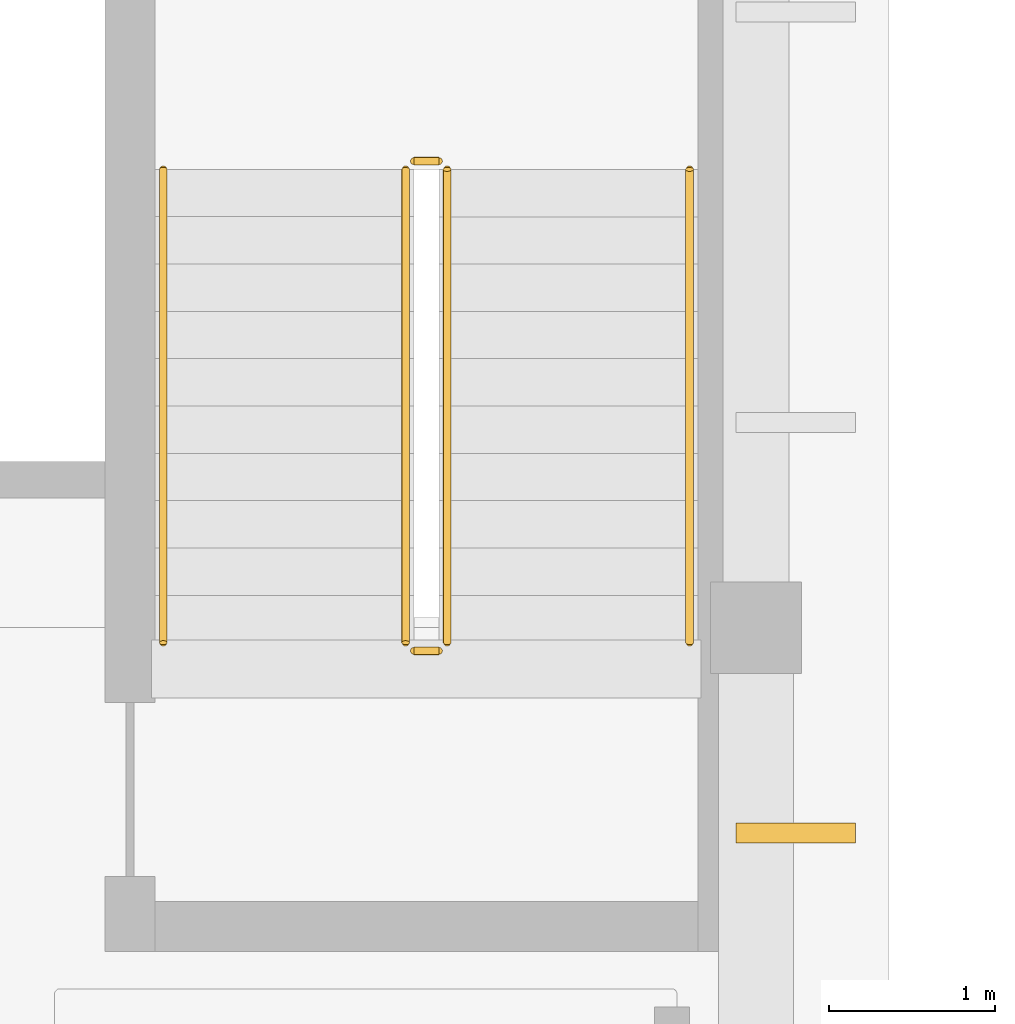
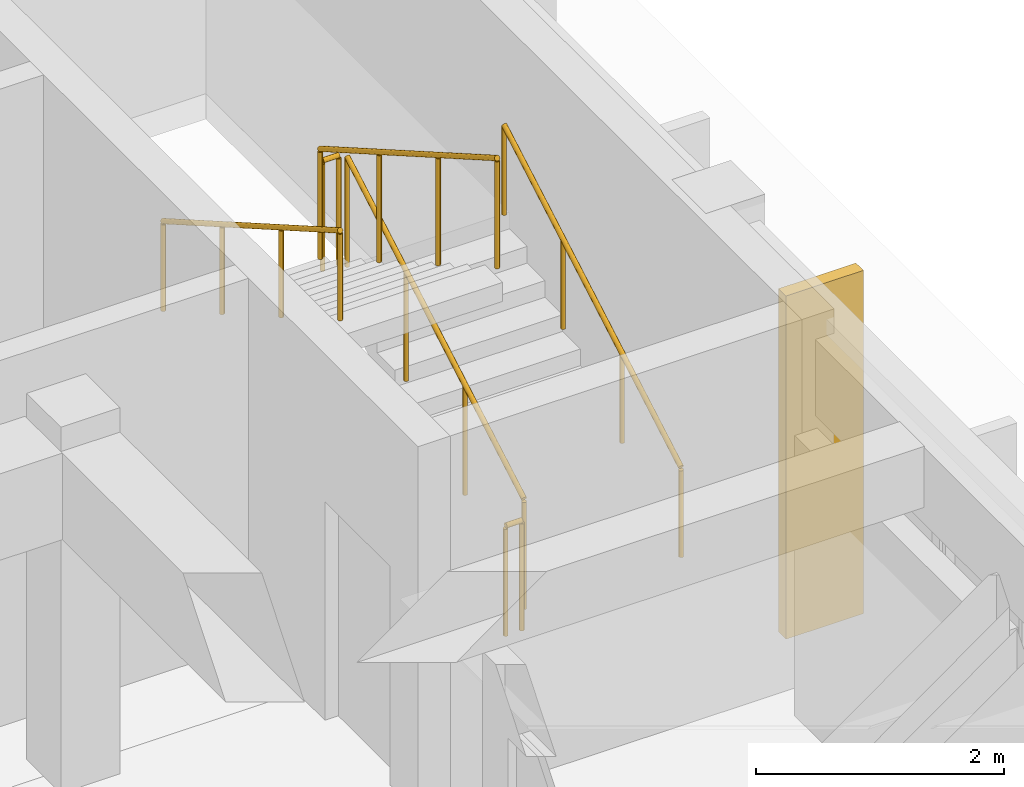
# One storey, part 22 of 23: 6 railings, 1 covering.
"""IFC4 building model written with IfcOpenShell, lengths in metres."""

from ifc_helpers import new_model, si_unit, direction, frame, origin, origin_2d, place, context, subcontext, project, spatial, rectangle, circle, extrude, material, layer, layer_set, type_object, element, save


model = new_model("IFC4")

# Units and contexts
model_context = context("Model", 3, precision=1e-05, world=origin(), true_north=direction((0.0, 1.0)))
body_context = subcontext(model_context, "Body", "Model", "MODEL_VIEW")
ifc_project = project(units=[si_unit("LENGTHUNIT", "METRE"), si_unit("AREAUNIT", "SQUARE_METRE"), si_unit("VOLUMEUNIT", "CUBIC_METRE"), si_unit("PLANEANGLEUNIT", "RADIAN"), si_unit("MASSUNIT", "GRAM", prefix="KILO")], contexts=[model_context])

# Site, building, storey
site_placement = place(None, origin())
site = spatial("IfcSite", under=ifc_project, at=site_placement, CompositionType="ELEMENT")
building_placement = place(site_placement, origin())
building = spatial("IfcBuilding", under=site, at=building_placement, Name="Larkveld Mobility Hub", CompositionType="ELEMENT")
storey_placement = place(building_placement, frame((0.0, 0.0, 19.199951171875)))
storey = spatial("IfcBuildingStorey", under=building, at=storey_placement, Name="L05", CompositionType="ELEMENT", Elevation=19.199951171875)

# Covering
ifc_material_1 = material(Name="Precast concrete C50/60", Category="concrete")
ifc_layer = layer(ifc_material_1, 0.1201171875, Name="Precast concrete C50/60", Category="concrete")
ifc_layer_set = layer_set([ifc_layer], Name="Precast concrete C50/60")
covering_type = type_object("IfcCoveringType", Name="COV-QSL-V01", PredefinedType="CLADDING", material=ifc_layer_set)
covering_placement = place(storey_placement, frame((152.239990234375, 54.763916015625, -0.0205078125), z_axis=(0.0, 0.0, 1.0), x_axis=(0.0, 1.0, 0.0)))
element("IfcCovering", 1, at=covering_placement, inside=storey, type_object=covering_type, Name="Precast Quebra-Sol Vertical Fin QSV-619", PredefinedType="CLADDING", context=body_context, shape_type="SweptSolid", body=[
    extrude(rectangle(XDim=0.1201171875, YDim=0.719970703125, at=origin_2d()), origin(), (0.0, 0.0, 1.0), 3.375),
])

# Railings
ifc_material_2 = material(Name="Galvanized Steel S355JR balustrade", Category="steel")
railing_type_1 = type_object("IfcRailingType", Name="RL-GRD-1100", PredefinedType="GUARDRAIL", material=ifc_material_2)
railing_1_placement = place(storey_placement, frame((150.139892578125, 55.909912109375, 0.16357421875)))
element("IfcRailing", 2, at=railing_1_placement, inside=storey, type_object=railing_type_1, Name="L05 ST2 stair guard 1", PredefinedType="GUARDRAIL", context=body_context, shape_type="SweptSolid", body=[
    extrude(circle(Radius=0.02392578125, at=origin_2d()), frame((0.0, 0.0, 1.076171875), z_axis=(0.0, 0.86721270334, 0.497937874806), x_axis=(-1.0, 0.0, 0.0)), (0.0, 0.0, 1.0), 3.28662109375),
    extrude(circle(Radius=0.02099609375, at=origin_2d()), origin(), (0.0, 0.0, 1.0), 1.052001953125),
    extrude(circle(Radius=0.02099609375, at=origin_2d()), frame((0.0, 0.949951171875, 0.54541015625)), (0.0, 0.0, 1.0), 1.052001953125),
    extrude(circle(Radius=0.02099609375, at=origin_2d()), frame((0.0, 1.900146484375, 1.091064453125)), (0.0, 0.0, 1.0), 1.052001953125),
    extrude(circle(Radius=0.02099609375, at=origin_2d()), frame((0.0, 2.85009765625, 1.636474609375)), (0.0, 0.0, 1.0), 1.052001953125),
])
railing_2_placement = place(storey_placement, frame((150.090087890625, 58.81005859375, 1.800048828125)))
element("IfcRailing", 3, at=railing_2_placement, inside=storey, type_object=railing_type_1, Name="L05 ST2 stair guard 2", PredefinedType="GUARDRAIL", context=body_context, shape_type="SweptSolid", body=[
    extrude(circle(Radius=0.02392578125, at=origin_2d()), frame((0.0, 0.0, 1.076171875), z_axis=(-1.0, 0.0, 0.0), x_axis=(0.0, -1.0, 0.0)), (0.0, 0.0, 1.0), 0.150146484375),
    extrude(circle(Radius=0.02099609375, at=origin_2d()), origin(), (0.0, 0.0, 1.0), 1.052001953125),
    extrude(circle(Radius=0.02099609375, at=origin_2d()), frame((-0.150146484375, 0.0, 0.0)), (0.0, 0.0, 1.0), 1.052001953125),
])
railing_3_placement = place(storey_placement, frame((149.889892578125, 58.760009765625, 1.963623046875)))
element("IfcRailing", 4, at=railing_3_placement, inside=storey, type_object=railing_type_1, Name="L05 ST2 stair guard 3", PredefinedType="GUARDRAIL", context=body_context, shape_type="SweptSolid", body=[
    extrude(circle(Radius=0.02392578125, at=origin_2d()), frame((0.0, 0.0, 1.076171875), z_axis=(0.0, -0.86721270334, 0.497937874806), x_axis=(1.0, 0.0, 0.0)), (0.0, 0.0, 1.0), 3.28662109375),
    extrude(circle(Radius=0.02099609375, at=origin_2d()), origin(), (0.0, 0.0, 1.0), 1.052001953125),
    extrude(circle(Radius=0.02099609375, at=origin_2d()), frame((0.0, -0.949951171875, 0.54541015625)), (0.0, 0.0, 1.0), 1.052001953125),
    extrude(circle(Radius=0.02099609375, at=origin_2d()), frame((0.0, -1.900146484375, 1.091064453125)), (0.0, 0.0, 1.0), 1.052001953125),
    extrude(circle(Radius=0.02099609375, at=origin_2d()), frame((0.0, -2.85009765625, 1.636474609375)), (0.0, 0.0, 1.0), 1.052001953125),
])
railing_4_placement = place(storey_placement, frame((150.090087890625, 55.860107421875, 0.0)))
element("IfcRailing", 5, at=railing_4_placement, inside=storey, type_object=railing_type_1, Name="L05 ST2 stair guard 4", PredefinedType="GUARDRAIL", context=body_context, shape_type="SweptSolid", body=[
    extrude(circle(Radius=0.02392578125, at=origin_2d()), frame((0.0, 0.0, 1.076171875), z_axis=(-1.0, 0.0, 0.0), x_axis=(0.0, -1.0, 0.0)), (0.0, 0.0, 1.0), 0.150146484375),
    extrude(circle(Radius=0.02099609375, at=origin_2d()), origin(), (0.0, 0.0, 1.0), 1.052001953125),
    extrude(circle(Radius=0.02099609375, at=origin_2d()), frame((-0.150146484375, 0.0, 0.0)), (0.0, 0.0, 1.0), 1.052001953125),
])
ifc_material_3 = material(Name="Brushed Steel S355JR tubular handrail", Category="steel")
railing_type_2 = type_object("IfcRailingType", Name="RL-HND-0900", PredefinedType="HANDRAIL", material=ifc_material_3)
railing_5_placement = place(storey_placement, frame((151.60009765625, 55.909912109375, 0.16357421875)))
element("IfcRailing", 6, at=railing_5_placement, inside=storey, type_object=railing_type_2, Name="L05 ST2 stair handrail 1", PredefinedType="HANDRAIL", context=body_context, shape_type="SweptSolid", body=[
    extrude(circle(Radius=0.02392578125, at=origin_2d()), frame((0.0, 0.0, 0.8759765625), z_axis=(0.0, 0.86721270334, 0.497937874806), x_axis=(-1.0, 0.0, 0.0)), (0.0, 0.0, 1.0), 3.28662109375),
    extrude(circle(Radius=0.02099609375, at=origin_2d()), origin(), (0.0, 0.0, 1.0), 0.851806640625),
    extrude(circle(Radius=0.02099609375, at=origin_2d()), frame((0.0, 0.949951171875, 0.54541015625)), (0.0, 0.0, 1.0), 0.851806640625),
    extrude(circle(Radius=0.02099609375, at=origin_2d()), frame((0.0, 1.900146484375, 1.091064453125)), (0.0, 0.0, 1.0), 0.851806640625),
    extrude(circle(Radius=0.02099609375, at=origin_2d()), frame((0.0, 2.85009765625, 1.636474609375)), (0.0, 0.0, 1.0), 0.851806640625),
])
railing_6_placement = place(storey_placement, frame((148.429931640625, 58.760009765625, 1.963623046875)))
element("IfcRailing", 7, at=railing_6_placement, inside=storey, type_object=railing_type_2, Name="L05 ST2 stair handrail 2", PredefinedType="HANDRAIL", context=body_context, shape_type="SweptSolid", body=[
    extrude(circle(Radius=0.02392578125, at=origin_2d()), frame((0.0, 0.0, 0.8759765625), z_axis=(0.0, -0.86721270334, 0.497937874806), x_axis=(1.0, 0.0, 0.0)), (0.0, 0.0, 1.0), 3.28662109375),
    extrude(circle(Radius=0.02099609375, at=origin_2d()), origin(), (0.0, 0.0, 1.0), 0.851806640625),
    extrude(circle(Radius=0.02099609375, at=origin_2d()), frame((0.0, -0.949951171875, 0.54541015625)), (0.0, 0.0, 1.0), 0.851806640625),
    extrude(circle(Radius=0.02099609375, at=origin_2d()), frame((0.0, -1.900146484375, 1.091064453125)), (0.0, 0.0, 1.0), 0.851806640625),
    extrude(circle(Radius=0.02099609375, at=origin_2d()), frame((0.0, -2.85009765625, 1.636474609375)), (0.0, 0.0, 1.0), 0.851806640625),
])

save(model, "model.ifc")
